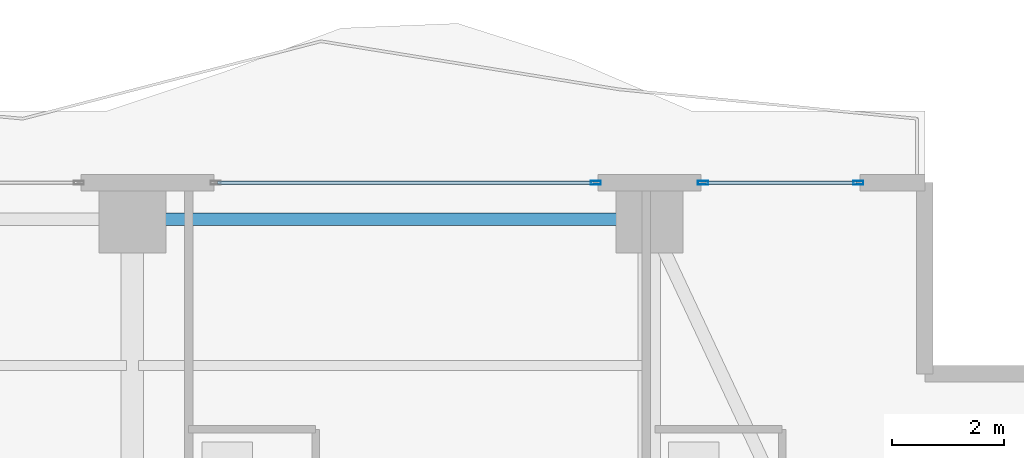
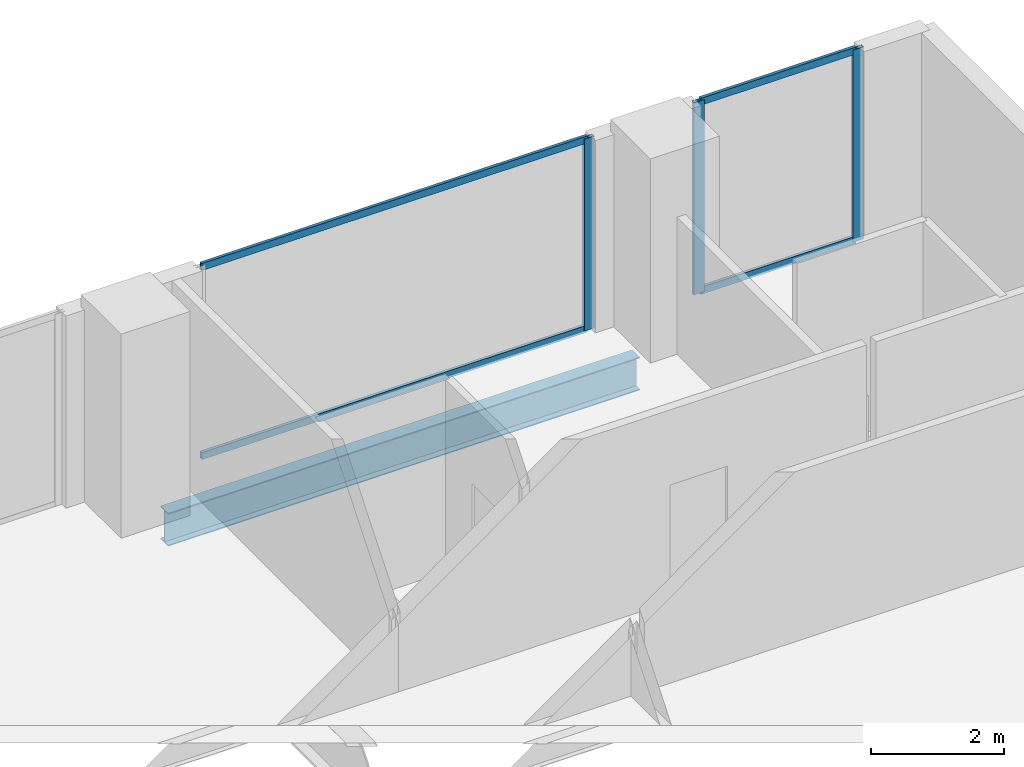
# One storey, part 22 of 32: 7 members, 1 beam, 2 elements without a shape of their own.
"""IFC4 building model written with IfcOpenShell, lengths in metres."""

from ifc_helpers import new_model, si_unit, direction, frame, origin, origin_2d, place, context, subcontext, project, spatial, hollow_rectangle, i_section, extrude, material, layer, layer_set, material_profile, profile_set, type_object, element, aggregate, save


model = new_model("IFC4")

# Units and contexts
model_context = context("Model", 3, precision=1e-05, world=origin(), true_north=direction((0.0, 1.0)))
body_context = subcontext(model_context, "Body", "Model", "MODEL_VIEW")
ifc_project = project(units=[si_unit("LENGTHUNIT", "METRE"), si_unit("AREAUNIT", "SQUARE_METRE"), si_unit("VOLUMEUNIT", "CUBIC_METRE"), si_unit("PLANEANGLEUNIT", "RADIAN"), si_unit("MASSUNIT", "GRAM", prefix="KILO")], contexts=[model_context])

# Site, building, storey
site_placement = place(None, origin())
site = spatial("IfcSite", under=ifc_project, at=site_placement, CompositionType="ELEMENT")
building_placement = place(site_placement, origin())
building = spatial("IfcBuilding", under=site, at=building_placement, Name="Zuhayl Quay Hotel", CompositionType="ELEMENT")
storey_placement = place(building_placement, frame((0.0, 0.0, 188.64990234375)))
storey = spatial("IfcBuildingStorey", under=building, at=storey_placement, Name="L47", CompositionType="ELEMENT", Elevation=188.64990234375)

# Beam
ifc_material_1 = material(Name="Steel ASTM A992 Grade 50", Category="steel")
ifc_material_profile_1 = material_profile(ifc_material_1, i_section(OverallWidth=0.22802734375, OverallDepth=0.60693359375, WebThickness=0.01123046875, FlangeThickness=0.017333984375, at=origin_2d()), Name="W24X76")
ifc_profile_set_1 = profile_set([ifc_material_profile_1], Name="Steel ASTM A992 Grade 50")
beam_type = type_object("IfcBeamType", Name="BM_B3_W24X76", PredefinedType="BEAM", material=ifc_profile_set_1)
beam_placement = place(storey_placement, frame((13.300048828125, 32.949951171875, -0.5234375), z_axis=(-1.0, 0.0, 0.0), x_axis=(0.0, -1.0, 0.0)))
element("IfcBeam", 1, at=beam_placement, inside=storey, type_object=beam_type, Name="L47 Floor Beam RG_L47_07", PredefinedType="BEAM", context=body_context, shape_type="SweptSolid", body=[
    extrude(i_section(OverallWidth=0.22802734375, OverallDepth=0.60693359375, WebThickness=0.01123046875, FlangeThickness=0.017333984375, at=origin_2d()), origin(), (0.0, 0.0, 1.0), 8.199951171875),
])

# Curtain wall, member
ifc_material_2 = material(Name="Anodised Aluminium 6063-T6", Category="aluminium")
ifc_layer = layer(ifc_material_2, 0.175048828125, Name="Anodised Aluminium 6063-T6", Category="aluminium")
ifc_layer_set = layer_set([ifc_layer], Name="Anodised Aluminium 6063-T6")
curtain_wall_type = type_object("IfcCurtainWallType", Name="CW_SYS_Z3", PredefinedType="USERDEFINED", material=ifc_layer_set)
curtain_wall_1_placement = place(storey_placement, origin())
curtain_wall_1 = element("IfcCurtainWall", 2, at=curtain_wall_1_placement, inside=storey, type_object=curtain_wall_type, Name="L47 Curtain Wall ENV_L47_N_CW5", ObjectType="UNITISED CURTAIN WALL", PredefinedType="USERDEFINED")
ifc_material_3 = material(Name="Black-anodised aluminium 6063-T6", Category="aluminium")
ifc_material_profile_2 = material_profile(ifc_material_3, hollow_rectangle(XDim=0.06494140625, YDim=0.179931640625, WallThickness=0.00341796875, at=origin_2d()), Name="ALU180X65")
ifc_profile_set_2 = profile_set([ifc_material_profile_2], Name="Black-anodised aluminium 6063-T6")
member_type_1 = type_object("IfcMemberType", Name="MB_CW_MUL_180", PredefinedType="MULLION", material=ifc_profile_set_2)
member_1_placement = place(storey_placement, frame((12.847412109375, 33.60009765625, 0.0), z_axis=(0.0, 0.0, 1.0), x_axis=(0.0, 1.0, 0.0)))
member_1 = element("IfcMember", 3, at=member_1_placement, type_object=member_type_1, Name="CW-Z3 mullion 2", PredefinedType="MULLION", context=body_context, shape_type="SweptSolid", body=[
    extrude(hollow_rectangle(XDim=0.06494140625, YDim=0.179931640625, WallThickness=0.00341796875, at=origin_2d()), origin(), (0.0, 0.0, 1.0), 3.530029296875),
])

# Curtain wall, members
curtain_wall_2_placement = place(storey_placement, origin())
curtain_wall_2 = element("IfcCurtainWall", 4, at=curtain_wall_2_placement, inside=storey, type_object=curtain_wall_type, Name="L47 Curtain Wall ENV_L47_N_CW6", ObjectType="UNITISED CURTAIN WALL", PredefinedType="USERDEFINED")
member_2_placement = place(storey_placement, frame((14.75244140625, 33.60009765625, 0.0), z_axis=(0.0, 0.0, 1.0), x_axis=(0.0, 1.0, 0.0)))
member_2 = element("IfcMember", 5, at=member_2_placement, type_object=member_type_1, Name="CW-Z3 mullion 1", PredefinedType="MULLION", context=body_context, shape_type="SweptSolid", body=[
    extrude(hollow_rectangle(XDim=0.06494140625, YDim=0.179931640625, WallThickness=0.00341796875, at=origin_2d()), origin(), (0.0, 0.0, 1.0), 3.530029296875),
])
member_3_placement = place(storey_placement, frame((17.517578125, 33.60009765625, 0.0), z_axis=(0.0, 0.0, 1.0), x_axis=(0.0, 1.0, 0.0)))
member_3 = element("IfcMember", 6, at=member_3_placement, type_object=member_type_1, Name="CW-Z3 mullion 2", PredefinedType="MULLION", context=body_context, shape_type="SweptSolid", body=[
    extrude(hollow_rectangle(XDim=0.06494140625, YDim=0.179931640625, WallThickness=0.00341796875, at=origin_2d()), origin(), (0.0, 0.0, 1.0), 3.530029296875),
])

# Member
ifc_material_profile_3 = material_profile(ifc_material_3, hollow_rectangle(XDim=0.054931640625, YDim=0.1298828125, WallThickness=0.0029296875, at=origin_2d()), Name="ALU130X55")
ifc_profile_set_3 = profile_set([ifc_material_profile_3], Name="Black-anodised aluminium 6063-T6")
member_type_2 = type_object("IfcMemberType", Name="MB_CW_TRN_130", PredefinedType="USERDEFINED", material=ifc_profile_set_3)
member_4_placement = place(storey_placement, frame((6.114990234375, 33.60009765625, 0.027587890625), z_axis=(1.0, 0.0, 0.0), x_axis=(0.0, 1.0, 0.0)))
member_4 = element("IfcMember", 7, at=member_4_placement, type_object=member_type_2, Name="CW-Z3 transom 1.1", ObjectType="TRANSOM", PredefinedType="USERDEFINED", context=body_context, shape_type="SweptSolid", body=[
    extrude(hollow_rectangle(XDim=0.054931640625, YDim=0.1298828125, WallThickness=0.0029296875, at=origin_2d()), origin(), (0.0, 0.0, 1.0), 6.699951171875),
])

member_5_placement = place(storey_placement, frame((6.114990234375, 33.60009765625, 3.502685546875), z_axis=(1.0, 0.0, 0.0), x_axis=(0.0, 1.0, 0.0)))
member_5 = element("IfcMember", 8, at=member_5_placement, type_object=member_type_2, Name="CW-Z3 transom 1.2", ObjectType="TRANSOM", PredefinedType="USERDEFINED", context=body_context, shape_type="SweptSolid", body=[
    extrude(hollow_rectangle(XDim=0.054931640625, YDim=0.1298828125, WallThickness=0.0029296875, at=origin_2d()), origin(), (0.0, 0.0, 1.0), 6.699951171875),
])

aggregate(curtain_wall_1, [member_1, member_4, member_5])

member_6_placement = place(storey_placement, frame((14.784912109375, 33.60009765625, 0.027587890625), z_axis=(1.0, 0.0, 0.0), x_axis=(0.0, 1.0, 0.0)))
member_6 = element("IfcMember", 9, at=member_6_placement, type_object=member_type_2, Name="CW-Z3 transom 1.1", ObjectType="TRANSOM", PredefinedType="USERDEFINED", context=body_context, shape_type="SweptSolid", body=[
    extrude(hollow_rectangle(XDim=0.054931640625, YDim=0.1298828125, WallThickness=0.0029296875, at=origin_2d()), origin(), (0.0, 0.0, 1.0), 2.7001953125),
])

member_7_placement = place(storey_placement, frame((14.784912109375, 33.60009765625, 3.502685546875), z_axis=(1.0, 0.0, 0.0), x_axis=(0.0, 1.0, 0.0)))
member_7 = element("IfcMember", 10, at=member_7_placement, type_object=member_type_2, Name="CW-Z3 transom 1.2", ObjectType="TRANSOM", PredefinedType="USERDEFINED", context=body_context, shape_type="SweptSolid", body=[
    extrude(hollow_rectangle(XDim=0.054931640625, YDim=0.1298828125, WallThickness=0.0029296875, at=origin_2d()), origin(), (0.0, 0.0, 1.0), 2.7001953125),
])

aggregate(curtain_wall_2, [member_2, member_3, member_6, member_7])

save(model, "model.ifc")
